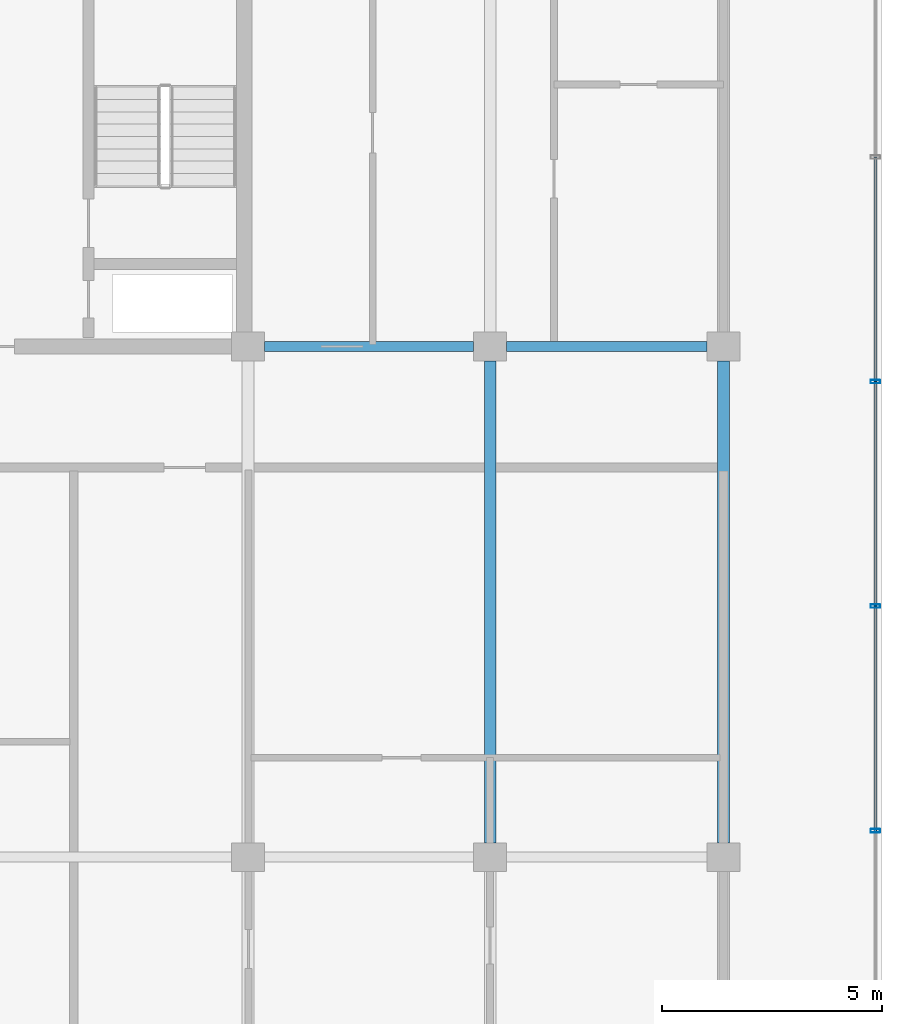
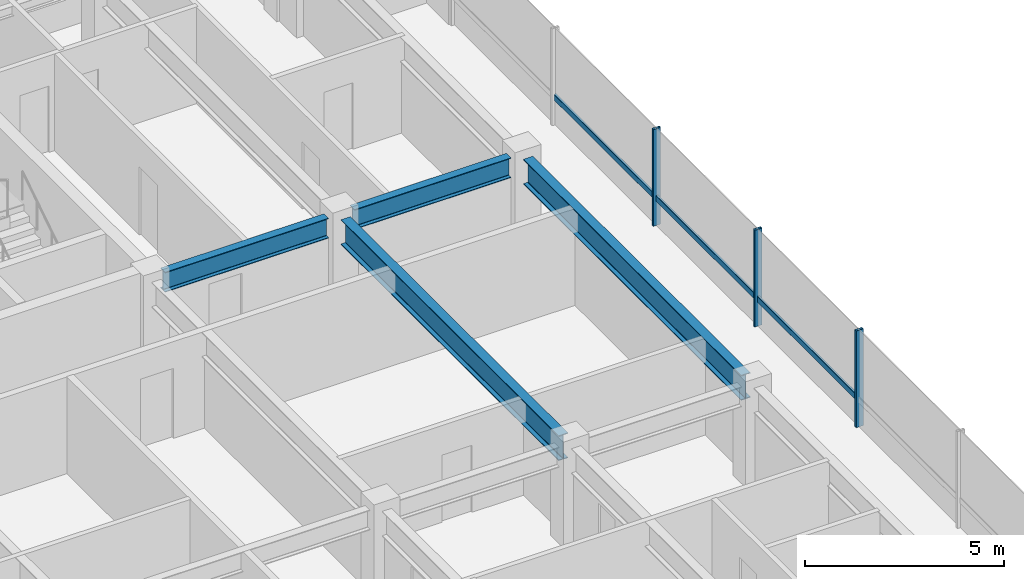
# One storey, part 9 of 30: 6 members, 4 beams, 1 element without a shape of its own.
"""IFC4 building model written with IfcOpenShell, lengths in metres."""

from ifc_helpers import new_model, si_unit, direction, frame, origin, origin_2d, place, context, subcontext, project, spatial, hollow_rectangle, i_section, extrude, material, layer, layer_set, material_profile, profile_set, type_object, element, aggregate, save


model = new_model("IFC4")

# Units and contexts
model_context = context("Model", 3, precision=1e-05, world=origin(), true_north=direction((0.0, 1.0)))
body_context = subcontext(model_context, "Body", "Model", "MODEL_VIEW")
ifc_project = project(units=[si_unit("LENGTHUNIT", "METRE"), si_unit("AREAUNIT", "SQUARE_METRE"), si_unit("VOLUMEUNIT", "CUBIC_METRE"), si_unit("PLANEANGLEUNIT", "RADIAN"), si_unit("MASSUNIT", "GRAM", prefix="KILO")], contexts=[model_context])

# Site, building, storey
site_placement = place(None, origin())
site = spatial("IfcSite", under=ifc_project, at=site_placement, CompositionType="ELEMENT")
building_placement = place(site_placement, origin())
building = spatial("IfcBuilding", under=site, at=building_placement, Name="Korimba Cascade Residences", CompositionType="ELEMENT")
storey_placement = place(building_placement, frame((0.0, 0.0, 201.10009765625)))
storey = spatial("IfcBuildingStorey", under=building, at=storey_placement, Name="L58", CompositionType="ELEMENT", Elevation=201.10009765625)

# Beams
ifc_material_1 = material(Name="Steel S355", Category="steel")
ifc_material_profile_1 = material_profile(ifc_material_1, i_section(OverallWidth=0.22900390625, OverallDepth=0.6123046875, WebThickness=0.011962890625, FlangeThickness=0.01953125, FilletRadius=0.0126953125, at=origin_2d()), Name="Steel S355")
ifc_profile_set_1 = profile_set([ifc_material_profile_1], Name="Steel S355")
beam_type_1 = type_object("IfcBeamType", Name="BM-STL-UB610B", PredefinedType="BEAM", material=ifc_profile_set_1)
beam_1_placement = place(storey_placement, frame((118.47509765625, 18.39990234375, 2.663818359375), z_axis=(1.0, 0.0, 0.0), x_axis=(0.0, 1.0, 0.0)))
element("IfcBeam", 1, at=beam_1_placement, inside=storey, type_object=beam_type_1, Name="L58 T2 E-W Girder Y3 Bay 6", PredefinedType="BEAM", context=body_context, shape_type="SweptSolid", body=[
    extrude(i_section(OverallWidth=0.22900390625, OverallDepth=0.6123046875, WebThickness=0.011962890625, FlangeThickness=0.01953125, FilletRadius=0.0126953125, at=origin_2d()), origin(), (0.0, 0.0, 1.0), 4.75),
])
beam_2_placement = place(storey_placement, frame((123.97509765625, 18.39990234375, 2.663818359375), z_axis=(1.0, 0.0, 0.0), x_axis=(0.0, 1.0, 0.0)))
element("IfcBeam", 2, at=beam_2_placement, inside=storey, type_object=beam_type_1, Name="L58 T2 E-W Girder Y3 Bay 7", PredefinedType="BEAM", context=body_context, shape_type="SweptSolid", body=[
    extrude(i_section(OverallWidth=0.22900390625, OverallDepth=0.6123046875, WebThickness=0.011962890625, FlangeThickness=0.01953125, FilletRadius=0.0126953125, at=origin_2d()), origin(), (0.0, 0.0, 1.0), 4.5498046875),
])
ifc_material_profile_2 = material_profile(ifc_material_1, i_section(OverallWidth=0.26806640625, OverallDepth=0.769775390625, WebThickness=0.015625, FlangeThickness=0.025390625, FilletRadius=0.0166015625, at=origin_2d()), Name="Steel S355")
ifc_profile_set_2 = profile_set([ifc_material_profile_2], Name="Steel S355")
beam_type_2 = type_object("IfcBeamType", Name="BM-STL-UB762", PredefinedType="BEAM", material=ifc_profile_set_2)
for number, where, z_axis, x_axis, name in (
    (3, (123.60009765625, 7.125, 2.5849609375), (0.0, 1.0, 0.0), (-1.0, 0.0, 0.0), "L58 T2 N-S Girder X7 Seg 2"),
    (4, (128.89990234375, 7.125, 2.5849609375), (0.0, 1.0, 0.0), (-1.0, 0.0, 0.0), "L58 T2 N-S Girder X8 Seg 2"),
):
    element("IfcBeam", number, at=place(storey_placement, frame(where, z_axis=z_axis, x_axis=x_axis)), inside=storey, type_object=beam_type_2, Name=name, PredefinedType="BEAM", context=body_context, shape_type="SweptSolid", body=[
        extrude(i_section(OverallWidth=0.26806640625, OverallDepth=0.769775390625, WebThickness=0.015625, FlangeThickness=0.025390625, FilletRadius=0.0166015625, at=origin_2d()), origin(), (0.0, 0.0, 1.0), 10.949951171875),
    ])

# Curtain wall, members
ifc_material_2 = material(Name="Anodised Aluminium Curtain Wall Framing", Category="aluminium")
ifc_layer = layer(ifc_material_2, 0.179931640625)
ifc_layer_set = layer_set([ifc_layer], Name="Anodised Aluminium Curtain Wall Framing")
curtain_wall_type = type_object("IfcCurtainWallType", Name="CW-SKY-SYS2", PredefinedType="NOTDEFINED", material=ifc_layer_set)
curtain_wall_placement = place(storey_placement, origin())
curtain_wall = element("IfcCurtainWall", 5, at=curtain_wall_placement, inside=storey, type_object=curtain_wall_type, Name="L58 Curtain Wall CW-L58-T2-E3", PredefinedType="NOTDEFINED")
ifc_material_3 = material(Name="Anodised Aluminium Mullion", Category="aluminium")
ifc_material_profile_3 = material_profile(ifc_material_3, hollow_rectangle(XDim=0.080078125, YDim=0.219970703125, WallThickness=0.00634765625, InnerFilletRadius=0.00634765625, OuterFilletRadius=0.0126953125, at=origin_2d()), Name="Anodised Aluminium Mullion")
ifc_profile_set_3 = profile_set([ifc_material_profile_3], Name="Anodised Aluminium Mullion")
member_type_1 = type_object("IfcMemberType", Name="CWM-MUL-220", PredefinedType="MULLION", material=ifc_profile_set_3)
member_1_placement = place(storey_placement, frame((132.35009765625, 7.39990234375, 0.0), z_axis=(0.0, 0.0, 1.0), x_axis=(0.0, 1.0, 0.0)))
member_1 = element("IfcMember", 6, at=member_1_placement, type_object=member_type_1, Name="CW-L58-T2-E3 Mullion 3", PredefinedType="MULLION", context=body_context, shape_type="SweptSolid", body=[
    extrude(hollow_rectangle(XDim=0.080078125, YDim=0.219970703125, WallThickness=0.00634765625, InnerFilletRadius=0.00634765625, OuterFilletRadius=0.0126953125, at=origin_2d()), origin(), (0.0, 0.0, 1.0), 2.969970703125),
])
member_2_placement = place(storey_placement, frame((132.35009765625, 12.5, 0.0), z_axis=(0.0, 0.0, 1.0), x_axis=(0.0, 1.0, 0.0)))
member_2 = element("IfcMember", 7, at=member_2_placement, type_object=member_type_1, Name="CW-L58-T2-E3 Mullion 4", PredefinedType="MULLION", context=body_context, shape_type="SweptSolid", body=[
    extrude(hollow_rectangle(XDim=0.080078125, YDim=0.219970703125, WallThickness=0.00634765625, InnerFilletRadius=0.00634765625, OuterFilletRadius=0.0126953125, at=origin_2d()), origin(), (0.0, 0.0, 1.0), 2.969970703125),
])
member_3_placement = place(storey_placement, frame((132.35009765625, 17.60009765625, 0.0), z_axis=(0.0, 0.0, 1.0), x_axis=(0.0, 1.0, 0.0)))
member_3 = element("IfcMember", 8, at=member_3_placement, type_object=member_type_1, Name="CW-L58-T2-E3 Mullion 5", PredefinedType="MULLION", context=body_context, shape_type="SweptSolid", body=[
    extrude(hollow_rectangle(XDim=0.080078125, YDim=0.219970703125, WallThickness=0.00634765625, InnerFilletRadius=0.00634765625, OuterFilletRadius=0.0126953125, at=origin_2d()), origin(), (0.0, 0.0, 1.0), 2.969970703125),
])
ifc_material_4 = material(Name="Anodised Aluminium Transom", Category="aluminium")
ifc_material_profile_4 = material_profile(ifc_material_4, hollow_rectangle(XDim=0.070068359375, YDim=0.179931640625, WallThickness=0.0048828125, InnerFilletRadius=0.0048828125, OuterFilletRadius=0.010009765625, at=origin_2d()), Name="Anodised Aluminium Transom")
ifc_profile_set_4 = profile_set([ifc_material_profile_4], Name="Anodised Aluminium Transom")
member_type_2 = type_object("IfcMemberType", Name="CWM-TRN-150", PredefinedType="USERDEFINED", material=ifc_profile_set_4)
member_4_placement = place(storey_placement, frame((132.35009765625, 7.39990234375, 0.83154296875), z_axis=(0.0, 1.0, 0.0), x_axis=(-1.0, 0.0, 0.0)))
member_4 = element("IfcMember", 9, at=member_4_placement, type_object=member_type_2, Name="CW-L58-T2-E3 Transom 3", ObjectType="TRANSOM", PredefinedType="USERDEFINED", context=body_context, shape_type="SweptSolid", body=[
    extrude(hollow_rectangle(XDim=0.070068359375, YDim=0.179931640625, WallThickness=0.0048828125, InnerFilletRadius=0.0048828125, OuterFilletRadius=0.010009765625, at=origin_2d()), origin(), (0.0, 0.0, 1.0), 5.10009765625),
])
member_5_placement = place(storey_placement, frame((132.35009765625, 12.5, 0.83154296875), z_axis=(0.0, 1.0, 0.0), x_axis=(-1.0, 0.0, 0.0)))
member_5 = element("IfcMember", 10, at=member_5_placement, type_object=member_type_2, Name="CW-L58-T2-E3 Transom 4", ObjectType="TRANSOM", PredefinedType="USERDEFINED", context=body_context, shape_type="SweptSolid", body=[
    extrude(hollow_rectangle(XDim=0.070068359375, YDim=0.179931640625, WallThickness=0.0048828125, InnerFilletRadius=0.0048828125, OuterFilletRadius=0.010009765625, at=origin_2d()), origin(), (0.0, 0.0, 1.0), 5.10009765625),
])
member_6_placement = place(storey_placement, frame((132.35009765625, 17.60009765625, 0.83154296875), z_axis=(0.0, 1.0, 0.0), x_axis=(-1.0, 0.0, 0.0)))
member_6 = element("IfcMember", 11, at=member_6_placement, type_object=member_type_2, Name="CW-L58-T2-E3 Transom 5", ObjectType="TRANSOM", PredefinedType="USERDEFINED", context=body_context, shape_type="SweptSolid", body=[
    extrude(hollow_rectangle(XDim=0.070068359375, YDim=0.179931640625, WallThickness=0.0048828125, InnerFilletRadius=0.0048828125, OuterFilletRadius=0.010009765625, at=origin_2d()), origin(), (0.0, 0.0, 1.0), 5.099853515625),
])
aggregate(curtain_wall, [member_1, member_2, member_3, member_4, member_5, member_6])

save(model, "model.ifc")
